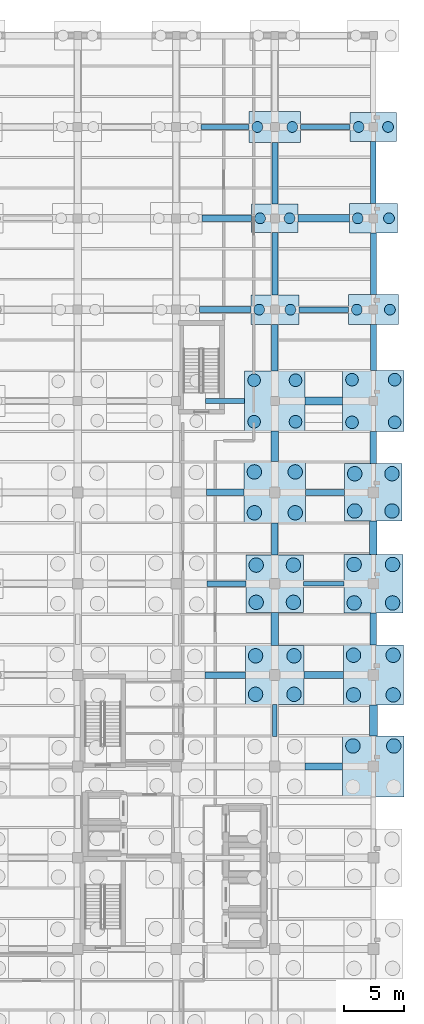
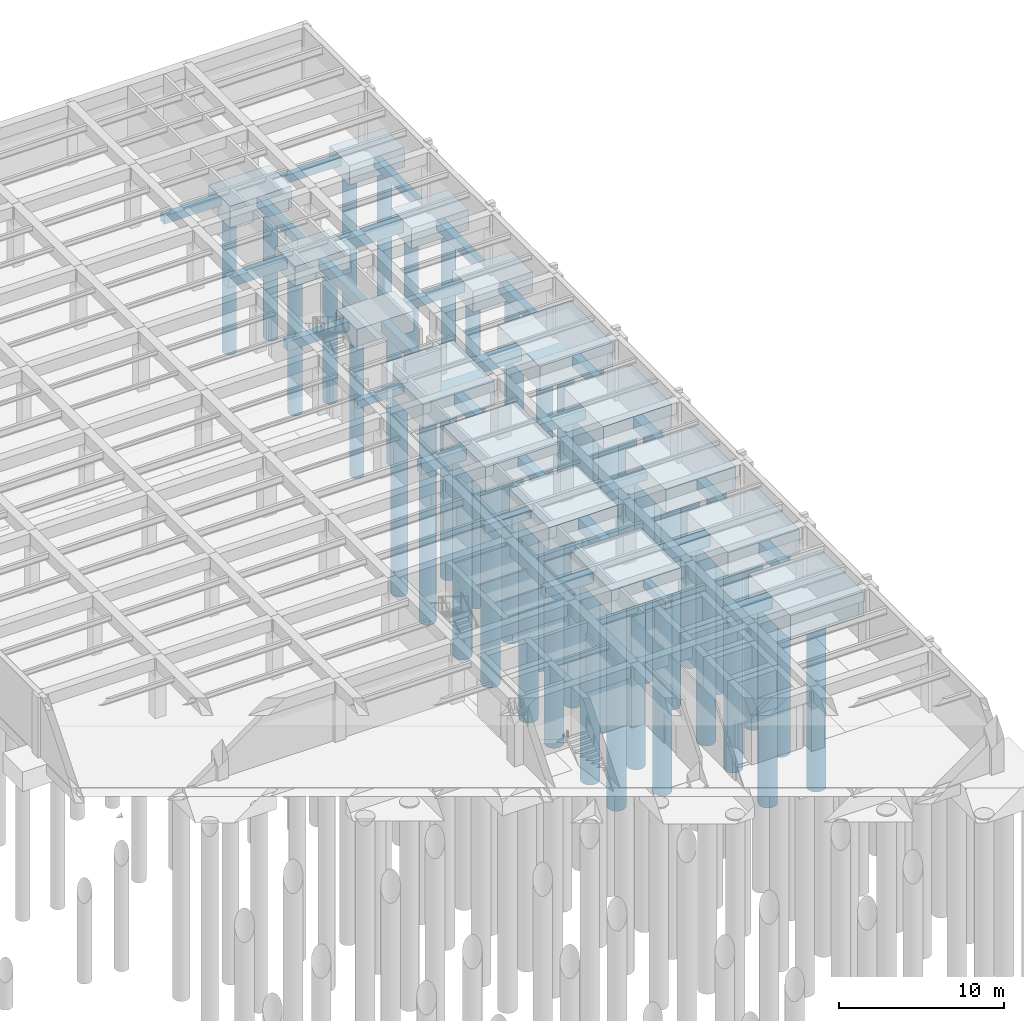
# One storey, part 7 of 29: 46 piles, 44 footings.
"""IFC4 building model written with IfcOpenShell, lengths in metres."""

from ifc_helpers import new_model, si_unit, direction, frame, origin, origin_2d, place, context, subcontext, project, spatial, rectangle, circle, extrude, material, material_profile, profile_set, type_object, element, save


model = new_model("IFC4")

# Units and contexts
model_context = context("Model", 3, precision=1e-05, world=origin(), true_north=direction((0.0, 1.0)))
body_context = subcontext(model_context, "Body", "Model", "MODEL_VIEW")
ifc_project = project(units=[si_unit("LENGTHUNIT", "METRE"), si_unit("AREAUNIT", "SQUARE_METRE"), si_unit("VOLUMEUNIT", "CUBIC_METRE"), si_unit("PLANEANGLEUNIT", "RADIAN"), si_unit("MASSUNIT", "GRAM", prefix="KILO")], contexts=[model_context])

# Site, building, storey
site_placement = place(None, origin())
site = spatial("IfcSite", under=ifc_project, at=site_placement, CompositionType="ELEMENT")
building_placement = place(site_placement, origin())
building = spatial("IfcBuilding", under=site, at=building_placement, Name="Qandaris Square Conservatory and Botanical Centre", CompositionType="ELEMENT")
storey_placement = place(building_placement, frame((0.0, 0.0, -4.800048828125)))
storey = spatial("IfcBuildingStorey", under=building, at=storey_placement, Name="B1", CompositionType="ELEMENT", Elevation=-4.800048828125)

# Piles
ifc_material_1 = material(Name="Concrete C50/60", Category="concrete")
ifc_material_profile_1 = material_profile(ifc_material_1, circle(Radius=0.52490234375, at=origin_2d()), Name="PILE D1050")
ifc_profile_set_1 = profile_set([ifc_material_profile_1], Name="Concrete C50/60")
pile_type_1 = type_object("IfcPileType", Name="Bored Pile D1050", PredefinedType="BORED", material=ifc_profile_set_1)
for number, where, z_axis, x_axis, name in (
    (1, (153.875, 68.074951171875, -1.64990234375), (0.0, 0.0, -1.0), (1.0, 0.0, 0.0), "Bored Pile J19-1"),
    (2, (157.324951171875, 68.074951171875, -1.64990234375), (0.0, 0.0, -1.0), (1.0, 0.0, 0.0), "Bored Pile J19-2"),
    (3, (153.875, 71.52490234375, -1.64990234375), (0.0, 0.0, -1.0), (1.0, 0.0, 0.0), "Bored Pile J19-3"),
    (4, (157.324951171875, 71.52490234375, -1.64990234375), (0.0, 0.0, -1.0), (1.0, 0.0, 0.0), "Bored Pile J19-4"),
):
    element("IfcPile", number, at=place(storey_placement, frame(where, z_axis=z_axis, x_axis=x_axis)), inside=storey, type_object=pile_type_1, Name=name, PredefinedType="BORED", context=body_context, shape_type="SweptSolid", body=[
        extrude(circle(Radius=0.52490234375, at=origin_2d()), origin(), (0.0, 0.0, 1.0), 15.050048828125),
    ])
for number, where, z_axis, x_axis, name in (
    (5, (162.02490234375, 68.02490234375, -1.699951171875), (0.0, 0.0, -1.0), (1.0, 0.0, 0.0), "Bored Pile J20-1"),
    (6, (165.574951171875, 68.02490234375, -1.699951171875), (0.0, 0.0, -1.0), (1.0, 0.0, 0.0), "Bored Pile J20-2"),
    (7, (162.02490234375, 71.574951171875, -1.699951171875), (0.0, 0.0, -1.0), (1.0, 0.0, 0.0), "Bored Pile J20-3"),
    (8, (165.574951171875, 71.574951171875, -1.699951171875), (0.0, 0.0, -1.0), (1.0, 0.0, 0.0), "Bored Pile J20-4"),
):
    element("IfcPile", number, at=place(storey_placement, frame(where, z_axis=z_axis, x_axis=x_axis)), inside=storey, type_object=pile_type_1, Name=name, PredefinedType="BORED", context=body_context, shape_type="SweptSolid", body=[
        extrude(circle(Radius=0.52490234375, at=origin_2d()), origin(), (0.0, 0.0, 1.0), 15.0),
    ])
ifc_material_profile_2 = material_profile(ifc_material_1, circle(Radius=0.60009765625, at=origin_2d()), Name="PILE D1200")
ifc_profile_set_2 = profile_set([ifc_material_profile_2], Name="Concrete C50/60")
pile_type_2 = type_object("IfcPileType", Name="Bored Pile D1200", PredefinedType="BORED", material=ifc_profile_set_2)
for number, where, z_axis, x_axis, name in (
    (9, (154.0, 45.39990234375, -1.599853515625), (0.0, 0.0, -1.0), (1.0, 0.0, 0.0), "Bored Pile F19-1"),
    (10, (157.199951171875, 45.39990234375, -1.599853515625), (0.0, 0.0, -1.0), (1.0, 0.0, 0.0), "Bored Pile F19-2"),
    (11, (154.0, 48.60009765625, -1.599853515625), (0.0, 0.0, -1.0), (1.0, 0.0, 0.0), "Bored Pile F19-3"),
    (12, (157.199951171875, 48.60009765625, -1.599853515625), (0.0, 0.0, -1.0), (1.0, 0.0, 0.0), "Bored Pile F19-4"),
):
    element("IfcPile", number, at=place(storey_placement, frame(where, z_axis=z_axis, x_axis=x_axis)), inside=storey, type_object=pile_type_2, Name=name, PredefinedType="BORED", context=body_context, shape_type="SweptSolid", body=[
        extrude(circle(Radius=0.60009765625, at=origin_2d()), origin(), (0.0, 0.0, 1.0), 15.10009765625),
    ])
for number, where, z_axis, x_axis, name in (
    (13, (154.050048828125, 53.050048828125, -1.550048828125), (0.0, 0.0, -1.0), (1.0, 0.0, 0.0), "Bored Pile G19-1"),
    (14, (157.14990234375, 53.050048828125, -1.550048828125), (0.0, 0.0, -1.0), (1.0, 0.0, 0.0), "Bored Pile G19-2"),
    (15, (154.050048828125, 56.14990234375, -1.550048828125), (0.0, 0.0, -1.0), (1.0, 0.0, 0.0), "Bored Pile G19-3"),
    (16, (157.14990234375, 56.14990234375, -1.550048828125), (0.0, 0.0, -1.0), (1.0, 0.0, 0.0), "Bored Pile G19-4"),
):
    element("IfcPile", number, at=place(storey_placement, frame(where, z_axis=z_axis, x_axis=x_axis)), inside=storey, type_object=pile_type_2, Name=name, PredefinedType="BORED", context=body_context, shape_type="SweptSolid", body=[
        extrude(circle(Radius=0.60009765625, at=origin_2d()), origin(), (0.0, 0.0, 1.0), 15.14990234375),
    ])
for number, where, z_axis, x_axis, name in (
    (17, (153.89990234375, 60.5, -1.699951171875), (0.0, 0.0, -1.0), (1.0, 0.0, 0.0), "Bored Pile H19-1"),
    (18, (157.300048828125, 60.5, -1.699951171875), (0.0, 0.0, -1.0), (1.0, 0.0, 0.0), "Bored Pile H19-2"),
    (19, (153.89990234375, 63.89990234375, -1.699951171875), (0.0, 0.0, -1.0), (1.0, 0.0, 0.0), "Bored Pile H19-3"),
    (20, (157.300048828125, 63.89990234375, -1.699951171875), (0.0, 0.0, -1.0), (1.0, 0.0, 0.0), "Bored Pile H19-4"),
    (21, (162.10009765625, 41.10009765625, -1.699951171875), (0.0, 0.0, -1.0), (1.0, 0.0, 0.0), "Bored Pile E20-3"),
    (22, (165.5, 41.10009765625, -1.699951171875), (0.0, 0.0, -1.0), (1.0, 0.0, 0.0), "Bored Pile E20-4"),
):
    element("IfcPile", number, at=place(storey_placement, frame(where, z_axis=z_axis, x_axis=x_axis)), inside=storey, type_object=pile_type_2, Name=name, PredefinedType="BORED", context=body_context, shape_type="SweptSolid", body=[
        extrude(circle(Radius=0.60009765625, at=origin_2d()), origin(), (0.0, 0.0, 1.0), 15.0),
    ])
for number, where, z_axis, x_axis, name in (
    (23, (162.14990234375, 45.35009765625, -1.64990234375), (0.0, 0.0, -1.0), (1.0, 0.0, 0.0), "Bored Pile F20-1"),
    (24, (165.449951171875, 45.35009765625, -1.64990234375), (0.0, 0.0, -1.0), (1.0, 0.0, 0.0), "Bored Pile F20-2"),
    (25, (162.14990234375, 48.64990234375, -1.64990234375), (0.0, 0.0, -1.0), (1.0, 0.0, 0.0), "Bored Pile F20-3"),
    (26, (165.449951171875, 48.64990234375, -1.64990234375), (0.0, 0.0, -1.0), (1.0, 0.0, 0.0), "Bored Pile F20-4"),
):
    element("IfcPile", number, at=place(storey_placement, frame(where, z_axis=z_axis, x_axis=x_axis)), inside=storey, type_object=pile_type_2, Name=name, PredefinedType="BORED", context=body_context, shape_type="SweptSolid", body=[
        extrude(circle(Radius=0.60009765625, at=origin_2d()), origin(), (0.0, 0.0, 1.0), 15.050048828125),
    ])
for number, where, z_axis, x_axis, name in (
    (27, (162.199951171875, 53.0, -1.599853515625), (0.0, 0.0, -1.0), (1.0, 0.0, 0.0), "Bored Pile G20-1"),
    (28, (165.39990234375, 53.0, -1.599853515625), (0.0, 0.0, -1.0), (1.0, 0.0, 0.0), "Bored Pile G20-2"),
    (29, (162.199951171875, 56.199951171875, -1.599853515625), (0.0, 0.0, -1.0), (1.0, 0.0, 0.0), "Bored Pile G20-3"),
    (30, (165.39990234375, 56.199951171875, -1.599853515625), (0.0, 0.0, -1.0), (1.0, 0.0, 0.0), "Bored Pile G20-4"),
):
    element("IfcPile", number, at=place(storey_placement, frame(where, z_axis=z_axis, x_axis=x_axis)), inside=storey, type_object=pile_type_2, Name=name, PredefinedType="BORED", context=body_context, shape_type="SweptSolid", body=[
        extrude(circle(Radius=0.60009765625, at=origin_2d()), origin(), (0.0, 0.0, 1.0), 15.10009765625),
    ])
for number, where, z_axis, x_axis, name in (
    (31, (162.25, 60.64990234375, -1.550048828125), (0.0, 0.0, -1.0), (1.0, 0.0, 0.0), "Bored Pile H20-1"),
    (32, (165.35009765625, 60.64990234375, -1.550048828125), (0.0, 0.0, -1.0), (1.0, 0.0, 0.0), "Bored Pile H20-2"),
    (33, (162.25, 63.75, -1.550048828125), (0.0, 0.0, -1.0), (1.0, 0.0, 0.0), "Bored Pile H20-3"),
    (34, (165.35009765625, 63.75, -1.550048828125), (0.0, 0.0, -1.0), (1.0, 0.0, 0.0), "Bored Pile H20-4"),
):
    element("IfcPile", number, at=place(storey_placement, frame(where, z_axis=z_axis, x_axis=x_axis)), inside=storey, type_object=pile_type_2, Name=name, PredefinedType="BORED", context=body_context, shape_type="SweptSolid", body=[
        extrude(circle(Radius=0.60009765625, at=origin_2d()), origin(), (0.0, 0.0, 1.0), 15.14990234375),
    ])
ifc_material_profile_3 = material_profile(ifc_material_1, circle(Radius=0.449951171875, at=origin_2d()), Name="PILE D900")
ifc_profile_set_3 = profile_set([ifc_material_profile_3], Name="Concrete C50/60")
pile_type_3 = type_object("IfcPileType", Name="Bored Pile D900", PredefinedType="BORED", material=ifc_profile_set_3)
for number, where, z_axis, x_axis, name in (
    (35, (154.300048828125, 77.39990234375, -1.39990234375), (0.0, 0.0, -1.0), (1.0, 0.0, 0.0), "Bored Pile K19-1"),
    (36, (156.89990234375, 77.39990234375, -1.39990234375), (0.0, 0.0, -1.0), (1.0, 0.0, 0.0), "Bored Pile K19-2"),
):
    element("IfcPile", number, at=place(storey_placement, frame(where, z_axis=z_axis, x_axis=x_axis)), inside=storey, type_object=pile_type_3, Name=name, PredefinedType="BORED", context=body_context, shape_type="SweptSolid", body=[
        extrude(circle(Radius=0.449951171875, at=origin_2d()), origin(), (0.0, 0.0, 1.0), 10.300048828125),
    ])
for number, where, z_axis, x_axis, name in (
    (37, (154.375, 85.0, -1.349853515625), (0.0, 0.0, -1.0), (1.0, 0.0, 0.0), "Bored Pile L19-1"),
    (38, (156.824951171875, 85.0, -1.349853515625), (0.0, 0.0, -1.0), (1.0, 0.0, 0.0), "Bored Pile L19-2"),
):
    element("IfcPile", number, at=place(storey_placement, frame(where, z_axis=z_axis, x_axis=x_axis)), inside=storey, type_object=pile_type_3, Name=name, PredefinedType="BORED", context=body_context, shape_type="SweptSolid", body=[
        extrude(circle(Radius=0.449951171875, at=origin_2d()), origin(), (0.0, 0.0, 1.0), 10.35009765625),
    ])
for number, where, z_axis, x_axis, name in (
    (39, (154.14990234375, 92.60009765625, -1.5), (0.0, 0.0, -1.0), (1.0, 0.0, 0.0), "Bored Pile M19-1"),
    (40, (157.050048828125, 92.60009765625, -1.5), (0.0, 0.0, -1.0), (1.0, 0.0, 0.0), "Bored Pile M19-2"),
):
    element("IfcPile", number, at=place(storey_placement, frame(where, z_axis=z_axis, x_axis=x_axis)), inside=storey, type_object=pile_type_3, Name=name, PredefinedType="BORED", context=body_context, shape_type="SweptSolid", body=[
        extrude(circle(Radius=0.449951171875, at=origin_2d()), origin(), (0.0, 0.0, 1.0), 10.199951171875),
    ])
for number, where, z_axis, x_axis, name in (
    (41, (162.425048828125, 77.39990234375, -1.449951171875), (0.0, 0.0, -1.0), (1.0, 0.0, 0.0), "Bored Pile K20-1"),
    (42, (165.175048828125, 77.39990234375, -1.449951171875), (0.0, 0.0, -1.0), (1.0, 0.0, 0.0), "Bored Pile K20-2"),
):
    element("IfcPile", number, at=place(storey_placement, frame(where, z_axis=z_axis, x_axis=x_axis)), inside=storey, type_object=pile_type_3, Name=name, PredefinedType="BORED", context=body_context, shape_type="SweptSolid", body=[
        extrude(circle(Radius=0.449951171875, at=origin_2d()), origin(), (0.0, 0.0, 1.0), 10.25),
    ])
for number, where, z_axis, x_axis, name in (
    (43, (162.5, 85.0, -1.39990234375), (0.0, 0.0, -1.0), (1.0, 0.0, 0.0), "Bored Pile L20-1"),
    (44, (165.10009765625, 85.0, -1.39990234375), (0.0, 0.0, -1.0), (1.0, 0.0, 0.0), "Bored Pile L20-2"),
):
    element("IfcPile", number, at=place(storey_placement, frame(where, z_axis=z_axis, x_axis=x_axis)), inside=storey, type_object=pile_type_3, Name=name, PredefinedType="BORED", context=body_context, shape_type="SweptSolid", body=[
        extrude(circle(Radius=0.449951171875, at=origin_2d()), origin(), (0.0, 0.0, 1.0), 10.300048828125),
    ])
for number, where, z_axis, x_axis, name in (
    (45, (162.574951171875, 92.60009765625, -1.349853515625), (0.0, 0.0, -1.0), (1.0, 0.0, 0.0), "Bored Pile M20-1"),
    (46, (165.02490234375, 92.60009765625, -1.349853515625), (0.0, 0.0, -1.0), (1.0, 0.0, 0.0), "Bored Pile M20-2"),
):
    element("IfcPile", number, at=place(storey_placement, frame(where, z_axis=z_axis, x_axis=x_axis)), inside=storey, type_object=pile_type_3, Name=name, PredefinedType="BORED", context=body_context, shape_type="SweptSolid", body=[
        extrude(circle(Radius=0.449951171875, at=origin_2d()), origin(), (0.0, 0.0, 1.0), 10.35009765625),
    ])

# Footings
ifc_material_2 = material(Name="Concrete C40/50", Category="concrete")
ifc_material_profile_4 = material_profile(ifc_material_2, rectangle(XDim=0.60009765625, YDim=0.85009765625, at=origin_2d()), Name="FB 600x850")
ifc_profile_set_4 = profile_set([ifc_material_profile_4], Name="Concrete C40/50")
footing_type_1 = type_object("IfcFootingType", Name="RC Ground Tie Beam FB-01", PredefinedType="FOOTING_BEAM", material=ifc_profile_set_4)
footing_1_placement = place(storey_placement, frame((158.10009765625, 39.39990234375, -0.425048828125), z_axis=(1.0, 0.0, 0.0), x_axis=(0.0, 1.0, 0.0)))
element("IfcFooting", 47, at=footing_1_placement, inside=storey, type_object=footing_type_1, Name="Ground Tie Beam FB-01-041", PredefinedType="FOOTING_BEAM", context=body_context, shape_type="SweptSolid", body=[
    extrude(rectangle(XDim=0.60009765625, YDim=0.85009765625, at=origin_2d()), origin(), (0.0, 0.0, 1.0), 3.14990234375),
])
footing_2_placement = place(storey_placement, frame((158.050048828125, 47.0, -0.425048828125), z_axis=(1.0, 0.0, 0.0), x_axis=(0.0, 1.0, 0.0)))
element("IfcFooting", 48, at=footing_2_placement, inside=storey, type_object=footing_type_1, Name="Ground Tie Beam FB-01-051", PredefinedType="FOOTING_BEAM", context=body_context, shape_type="SweptSolid", body=[
    extrude(rectangle(XDim=0.60009765625, YDim=0.85009765625, at=origin_2d()), origin(), (0.0, 0.0, 1.0), 3.25),
])
footing_3_placement = place(storey_placement, frame((157.52490234375, 85.0, -0.425048828125), z_axis=(1.0, 0.0, 0.0), x_axis=(0.0, 1.0, 0.0)))
element("IfcFooting", 49, at=footing_3_placement, inside=storey, type_object=footing_type_1, Name="Ground Tie Beam FB-01-081", PredefinedType="FOOTING_BEAM", context=body_context, shape_type="SweptSolid", body=[
    extrude(rectangle(XDim=0.60009765625, YDim=0.85009765625, at=origin_2d()), origin(), (0.0, 0.0, 1.0), 4.275146484375),
])
footing_4_placement = place(storey_placement, frame((155.60009765625, 64.75, -0.425048828125), z_axis=(0.0, 1.0, 0.0), x_axis=(-1.0, 0.0, 0.0)))
element("IfcFooting", 50, at=footing_4_placement, inside=storey, type_object=footing_type_1, Name="Ground Tie Beam FB-01-171", PredefinedType="FOOTING_BEAM", context=body_context, shape_type="SweptSolid", body=[
    extrude(rectangle(XDim=0.60009765625, YDim=0.85009765625, at=origin_2d()), origin(), (0.0, 0.0, 1.0), 2.550048828125),
])
footing_5_placement = place(storey_placement, frame((163.800048828125, 57.050048828125, -0.425048828125), z_axis=(0.0, 1.0, 0.0), x_axis=(-1.0, 0.0, 0.0)))
element("IfcFooting", 51, at=footing_5_placement, inside=storey, type_object=footing_type_1, Name="Ground Tie Beam FB-01-181", PredefinedType="FOOTING_BEAM", context=body_context, shape_type="SweptSolid", body=[
    extrude(rectangle(XDim=0.60009765625, YDim=0.85009765625, at=origin_2d()), origin(), (0.0, 0.0, 1.0), 2.75),
])
ifc_material_profile_5 = material_profile(ifc_material_2, rectangle(XDim=0.550048828125, YDim=0.800048828125, at=origin_2d()), Name="FB 550x800")
ifc_profile_set_5 = profile_set([ifc_material_profile_5], Name="Concrete C40/50")
footing_type_2 = type_object("IfcFootingType", Name="RC Ground Tie Beam FB-02", PredefinedType="FOOTING_BEAM", material=ifc_profile_set_5)
footing_6_placement = place(storey_placement, frame((149.89990234375, 62.199951171875, -0.39990234375), z_axis=(1.0, 0.0, 0.0), x_axis=(0.0, 1.0, 0.0)))
element("IfcFooting", 52, at=footing_6_placement, inside=storey, type_object=footing_type_2, Name="Ground Tie Beam FB-02-062", PredefinedType="FOOTING_BEAM", context=body_context, shape_type="SweptSolid", body=[
    extrude(rectangle(XDim=0.550048828125, YDim=0.800048828125, at=origin_2d()), origin(), (0.0, 0.0, 1.0), 3.150146484375),
])
footing_7_placement = place(storey_placement, frame((155.60009765625, 72.300048828125, -0.39990234375), z_axis=(0.0, 1.0, 0.0), x_axis=(-1.0, 0.0, 0.0)))
element("IfcFooting", 53, at=footing_7_placement, inside=storey, type_object=footing_type_2, Name="Ground Tie Beam FB-02-172", PredefinedType="FOOTING_BEAM", context=body_context, shape_type="SweptSolid", body=[
    extrude(rectangle(XDim=0.550048828125, YDim=0.800048828125, at=origin_2d()), origin(), (0.0, 0.0, 1.0), 3.875),
])
footing_8_placement = place(storey_placement, frame((163.800048828125, 64.60009765625, -0.39990234375), z_axis=(0.0, 1.0, 0.0), x_axis=(-1.0, 0.0, 0.0)))
element("IfcFooting", 54, at=footing_8_placement, inside=storey, type_object=footing_type_2, Name="Ground Tie Beam FB-02-182", PredefinedType="FOOTING_BEAM", context=body_context, shape_type="SweptSolid", body=[
    extrude(rectangle(XDim=0.550048828125, YDim=0.800048828125, at=origin_2d()), origin(), (0.0, 0.0, 1.0), 2.64990234375),
])
ifc_material_profile_6 = material_profile(ifc_material_2, rectangle(XDim=0.5, YDim=0.75, at=origin_2d()), Name="FB 500x750")
ifc_profile_set_6 = profile_set([ifc_material_profile_6], Name="Concrete C40/50")
footing_type_3 = type_object("IfcFootingType", Name="RC Ground Tie Beam FB-03", PredefinedType="FOOTING_BEAM", material=ifc_profile_set_6)
footing_9_placement = place(storey_placement, frame((158.14990234375, 62.199951171875, -0.375), z_axis=(1.0, 0.0, 0.0), x_axis=(0.0, 1.0, 0.0)))
element("IfcFooting", 55, at=footing_9_placement, inside=storey, type_object=footing_type_3, Name="Ground Tie Beam FB-03-063", PredefinedType="FOOTING_BEAM", context=body_context, shape_type="SweptSolid", body=[
    extrude(rectangle(XDim=0.5, YDim=0.75, at=origin_2d()), origin(), (0.0, 0.0, 1.0), 3.25),
])
footing_10_placement = place(storey_placement, frame((155.60009765625, 78.625, -0.375), z_axis=(0.0, 1.0, 0.0), x_axis=(-1.0, 0.0, 0.0)))
element("IfcFooting", 56, at=footing_10_placement, inside=storey, type_object=footing_type_3, Name="Ground Tie Beam FB-03-173", PredefinedType="FOOTING_BEAM", context=body_context, shape_type="SweptSolid", body=[
    extrude(rectangle(XDim=0.5, YDim=0.75, at=origin_2d()), origin(), (0.0, 0.0, 1.0), 5.175048828125),
])
footing_11_placement = place(storey_placement, frame((163.800048828125, 72.35009765625, -0.375), z_axis=(0.0, 1.0, 0.0), x_axis=(-1.0, 0.0, 0.0)))
element("IfcFooting", 57, at=footing_11_placement, inside=storey, type_object=footing_type_3, Name="Ground Tie Beam FB-03-183", PredefinedType="FOOTING_BEAM", context=body_context, shape_type="SweptSolid", body=[
    extrude(rectangle(XDim=0.5, YDim=0.75, at=origin_2d()), origin(), (0.0, 0.0, 1.0), 3.7998046875),
])
ifc_material_profile_7 = material_profile(ifc_material_2, rectangle(XDim=0.5, YDim=0.699951171875, at=origin_2d()), Name="FB 500x700")
ifc_profile_set_7 = profile_set([ifc_material_profile_7], Name="Concrete C40/50")
footing_type_4 = type_object("IfcFootingType", Name="RC Ground Tie Beam FB-04", PredefinedType="FOOTING_BEAM", material=ifc_profile_set_7)
footing_12_placement = place(storey_placement, frame((149.324951171875, 77.39990234375, -0.349853515625), z_axis=(1.0, 0.0, 0.0), x_axis=(0.0, 1.0, 0.0)))
element("IfcFooting", 58, at=footing_12_placement, inside=storey, type_object=footing_type_4, Name="Ground Tie Beam FB-04-074", PredefinedType="FOOTING_BEAM", context=body_context, shape_type="SweptSolid", body=[
    extrude(rectangle(XDim=0.5, YDim=0.699951171875, at=origin_2d()), origin(), (0.0, 0.0, 1.0), 4.275146484375),
])
footing_13_placement = place(storey_placement, frame((155.60009765625, 86.199951171875, -0.349853515625), z_axis=(0.0, 1.0, 0.0), x_axis=(-1.0, 0.0, 0.0)))
element("IfcFooting", 59, at=footing_13_placement, inside=storey, type_object=footing_type_4, Name="Ground Tie Beam FB-04-174", PredefinedType="FOOTING_BEAM", context=body_context, shape_type="SweptSolid", body=[
    extrude(rectangle(XDim=0.5, YDim=0.699951171875, at=origin_2d()), origin(), (0.0, 0.0, 1.0), 5.10009765625),
])
footing_14_placement = place(storey_placement, frame((163.800048828125, 78.64990234375, -0.349853515625), z_axis=(0.0, 1.0, 0.0), x_axis=(-1.0, 0.0, 0.0)))
element("IfcFooting", 60, at=footing_14_placement, inside=storey, type_object=footing_type_4, Name="Ground Tie Beam FB-04-184", PredefinedType="FOOTING_BEAM", context=body_context, shape_type="SweptSolid", body=[
    extrude(rectangle(XDim=0.5, YDim=0.699951171875, at=origin_2d()), origin(), (0.0, 0.0, 1.0), 5.125),
])
ifc_material_profile_8 = material_profile(ifc_material_2, rectangle(XDim=0.449951171875, YDim=0.64990234375, at=origin_2d()), Name="FB 450x650")
ifc_profile_set_8 = profile_set([ifc_material_profile_8], Name="Concrete C40/50")
footing_type_5 = type_object("IfcFootingType", Name="RC Ground Tie Beam FB-05", PredefinedType="FOOTING_BEAM", material=ifc_profile_set_8)
footing_15_placement = place(storey_placement, frame((157.60009765625, 77.39990234375, -0.324951171875), z_axis=(1.0, 0.0, 0.0), x_axis=(0.0, 1.0, 0.0)))
element("IfcFooting", 61, at=footing_15_placement, inside=storey, type_object=footing_type_5, Name="Ground Tie Beam FB-05-075", PredefinedType="FOOTING_BEAM", context=body_context, shape_type="SweptSolid", body=[
    extrude(rectangle(XDim=0.449951171875, YDim=0.64990234375, at=origin_2d()), origin(), (0.0, 0.0, 1.0), 4.125),
])
footing_16_placement = place(storey_placement, frame((163.800048828125, 86.22509765625, -0.324951171875), z_axis=(0.0, 1.0, 0.0), x_axis=(-1.0, 0.0, 0.0)))
element("IfcFooting", 62, at=footing_16_placement, inside=storey, type_object=footing_type_5, Name="Ground Tie Beam FB-05-185", PredefinedType="FOOTING_BEAM", context=body_context, shape_type="SweptSolid", body=[
    extrude(rectangle(XDim=0.449951171875, YDim=0.64990234375, at=origin_2d()), origin(), (0.0, 0.0, 1.0), 5.1748046875),
])
ifc_material_profile_9 = material_profile(ifc_material_2, rectangle(XDim=0.449951171875, YDim=0.60009765625, at=origin_2d()), Name="FB 450x600")
ifc_profile_set_9 = profile_set([ifc_material_profile_9], Name="Concrete C40/50")
footing_type_6 = type_object("IfcFootingType", Name="RC Ground Tie Beam FB-06", PredefinedType="FOOTING_BEAM", material=ifc_profile_set_9)
footing_17_placement = place(storey_placement, frame((149.949951171875, 54.60009765625, -0.300048828125), z_axis=(1.0, 0.0, 0.0), x_axis=(0.0, 1.0, 0.0)))
element("IfcFooting", 63, at=footing_17_placement, inside=storey, type_object=footing_type_6, Name="Ground Tie Beam FB-06-056", PredefinedType="FOOTING_BEAM", context=body_context, shape_type="SweptSolid", body=[
    extrude(rectangle(XDim=0.449951171875, YDim=0.60009765625, at=origin_2d()), origin(), (0.0, 0.0, 1.0), 3.25),
])
footing_18_placement = place(storey_placement, frame((149.47509765625, 92.60009765625, -0.300048828125), z_axis=(1.0, 0.0, 0.0), x_axis=(0.0, 1.0, 0.0)))
element("IfcFooting", 64, at=footing_18_placement, inside=storey, type_object=footing_type_6, Name="Ground Tie Beam FB-06-086", PredefinedType="FOOTING_BEAM", context=body_context, shape_type="SweptSolid", body=[
    extrude(rectangle(XDim=0.449951171875, YDim=0.60009765625, at=origin_2d()), origin(), (0.0, 0.0, 1.0), 3.974853515625),
])
ifc_material_profile_10 = material_profile(ifc_material_2, rectangle(XDim=0.39990234375, YDim=0.60009765625, at=origin_2d()), Name="FB 400x600")
ifc_profile_set_10 = profile_set([ifc_material_profile_10], Name="Concrete C40/50")
footing_type_7 = type_object("IfcFootingType", Name="RC Ground Tie Beam FB-07", PredefinedType="FOOTING_BEAM", material=ifc_profile_set_10)
footing_19_placement = place(storey_placement, frame((158.0, 54.60009765625, -0.300048828125), z_axis=(1.0, 0.0, 0.0), x_axis=(0.0, 1.0, 0.0)))
element("IfcFooting", 65, at=footing_19_placement, inside=storey, type_object=footing_type_7, Name="Ground Tie Beam FB-07-057", PredefinedType="FOOTING_BEAM", context=body_context, shape_type="SweptSolid", body=[
    extrude(rectangle(XDim=0.39990234375, YDim=0.60009765625, at=origin_2d()), origin(), (0.0, 0.0, 1.0), 3.35009765625),
])
footing_20_placement = place(storey_placement, frame((157.75, 92.60009765625, -0.300048828125), z_axis=(1.0, 0.0, 0.0), x_axis=(0.0, 1.0, 0.0)))
element("IfcFooting", 66, at=footing_20_placement, inside=storey, type_object=footing_type_7, Name="Ground Tie Beam FB-07-087", PredefinedType="FOOTING_BEAM", context=body_context, shape_type="SweptSolid", body=[
    extrude(rectangle(XDim=0.39990234375, YDim=0.60009765625, at=origin_2d()), origin(), (0.0, 0.0, 1.0), 4.125),
])
ifc_material_profile_11 = material_profile(ifc_material_2, rectangle(XDim=0.39990234375, YDim=0.550048828125, at=origin_2d()), Name="FB 400x550")
ifc_profile_set_11 = profile_set([ifc_material_profile_11], Name="Concrete C40/50")
footing_type_8 = type_object("IfcFootingType", Name="RC Ground Tie Beam FB-08", PredefinedType="FOOTING_BEAM", material=ifc_profile_set_11)
footing_21_placement = place(storey_placement, frame((149.85009765625, 69.800048828125, -0.27490234375), z_axis=(1.0, 0.0, 0.0), x_axis=(0.0, 1.0, 0.0)))
element("IfcFooting", 67, at=footing_21_placement, inside=storey, type_object=footing_type_8, Name="Ground Tie Beam FB-08-068", PredefinedType="FOOTING_BEAM", context=body_context, shape_type="SweptSolid", body=[
    extrude(rectangle(XDim=0.39990234375, YDim=0.550048828125, at=origin_2d()), origin(), (0.0, 0.0, 1.0), 3.25),
])
footing_22_placement = place(storey_placement, frame((155.60009765625, 41.89990234375, -0.27490234375), z_axis=(0.0, 1.0, 0.0), x_axis=(-1.0, 0.0, 0.0)))
element("IfcFooting", 68, at=footing_22_placement, inside=storey, type_object=footing_type_8, Name="Ground Tie Beam FB-08-168", PredefinedType="FOOTING_BEAM", context=body_context, shape_type="SweptSolid", body=[
    extrude(rectangle(XDim=0.39990234375, YDim=0.550048828125, at=origin_2d()), origin(), (0.0, 0.0, 1.0), 2.650146484375),
])
ifc_material_profile_12 = material_profile(ifc_material_2, rectangle(XDim=0.64990234375, YDim=0.89990234375, at=origin_2d()), Name="FB 650x900")
ifc_profile_set_12 = profile_set([ifc_material_profile_12], Name="Concrete C40/50")
footing_type_9 = type_object("IfcFootingType", Name="RC Ground Tie Beam FB-09", PredefinedType="FOOTING_BEAM", material=ifc_profile_set_12)
footing_23_placement = place(storey_placement, frame((158.10009765625, 69.800048828125, -0.449951171875), z_axis=(1.0, 0.0, 0.0), x_axis=(0.0, 1.0, 0.0)))
element("IfcFooting", 69, at=footing_23_placement, inside=storey, type_object=footing_type_9, Name="Ground Tie Beam FB-09-069", PredefinedType="FOOTING_BEAM", context=body_context, shape_type="SweptSolid", body=[
    extrude(rectangle(XDim=0.64990234375, YDim=0.89990234375, at=origin_2d()), origin(), (0.0, 0.0, 1.0), 3.14990234375),
])
footing_24_placement = place(storey_placement, frame((155.60009765625, 49.449951171875, -0.449951171875), z_axis=(0.0, 1.0, 0.0), x_axis=(-1.0, 0.0, 0.0)))
element("IfcFooting", 70, at=footing_24_placement, inside=storey, type_object=footing_type_9, Name="Ground Tie Beam FB-09-169", PredefinedType="FOOTING_BEAM", context=body_context, shape_type="SweptSolid", body=[
    extrude(rectangle(XDim=0.64990234375, YDim=0.89990234375, at=origin_2d()), origin(), (0.0, 0.0, 1.0), 2.75),
])
footing_25_placement = place(storey_placement, frame((163.800048828125, 41.949951171875, -0.449951171875), z_axis=(0.0, 1.0, 0.0), x_axis=(-1.0, 0.0, 0.0)))
element("IfcFooting", 71, at=footing_25_placement, inside=storey, type_object=footing_type_9, Name="Ground Tie Beam FB-09-179", PredefinedType="FOOTING_BEAM", context=body_context, shape_type="SweptSolid", body=[
    extrude(rectangle(XDim=0.64990234375, YDim=0.89990234375, at=origin_2d()), origin(), (0.0, 0.0, 1.0), 2.550048828125),
])
ifc_material_profile_13 = material_profile(ifc_material_2, rectangle(XDim=0.550048828125, YDim=0.699951171875, at=origin_2d()), Name="FB 550x700")
ifc_profile_set_13 = profile_set([ifc_material_profile_13], Name="Concrete C40/50")
footing_type_10 = type_object("IfcFootingType", Name="RC Ground Tie Beam FB-10", PredefinedType="FOOTING_BEAM", material=ifc_profile_set_13)
footing_26_placement = place(storey_placement, frame((149.800048828125, 47.0, -0.349853515625), z_axis=(1.0, 0.0, 0.0), x_axis=(0.0, 1.0, 0.0)))
element("IfcFooting", 72, at=footing_26_placement, inside=storey, type_object=footing_type_10, Name="Ground Tie Beam FB-10-050", PredefinedType="FOOTING_BEAM", context=body_context, shape_type="SweptSolid", body=[
    extrude(rectangle(XDim=0.550048828125, YDim=0.699951171875, at=origin_2d()), origin(), (0.0, 0.0, 1.0), 3.349853515625),
])
footing_27_placement = place(storey_placement, frame((149.550048828125, 85.0, -0.349853515625), z_axis=(1.0, 0.0, 0.0), x_axis=(0.0, 1.0, 0.0)))
element("IfcFooting", 73, at=footing_27_placement, inside=storey, type_object=footing_type_10, Name="Ground Tie Beam FB-10-080", PredefinedType="FOOTING_BEAM", context=body_context, shape_type="SweptSolid", body=[
    extrude(rectangle(XDim=0.550048828125, YDim=0.699951171875, at=origin_2d()), origin(), (0.0, 0.0, 1.0), 4.125),
])
for number, where, z_axis, x_axis, name in (
    (74, (155.60009765625, 57.0, -0.349853515625), (0.0, 1.0, 0.0), (-1.0, 0.0, 0.0), "Ground Tie Beam FB-10-170"),
    (75, (163.800048828125, 49.5, -0.349853515625), (0.0, 1.0, 0.0), (-1.0, 0.0, 0.0), "Ground Tie Beam FB-10-180"),
):
    element("IfcFooting", number, at=place(storey_placement, frame(where, z_axis=z_axis, x_axis=x_axis)), inside=storey, type_object=footing_type_10, Name=name, PredefinedType="FOOTING_BEAM", context=body_context, shape_type="SweptSolid", body=[
        extrude(rectangle(XDim=0.550048828125, YDim=0.699951171875, at=origin_2d()), origin(), (0.0, 0.0, 1.0), 2.64990234375),
    ])
footing_type_11 = type_object("IfcFootingType", Name="RC Pile Cap PC-01", PredefinedType="PILE_CAP", material=ifc_material_2)
for number, where, z_axis, x_axis, name in (
    (76, (155.60009765625, 62.199951171875, -1.7998046875), (0.0, 0.0, 1.0), (1.0, 0.0, 0.0), "Pile Cap PC-01 at H19"),
    (77, (163.800048828125, 39.39990234375, -1.7998046875), (0.0, 0.0, 1.0), (1.0, 0.0, 0.0), "Pile Cap PC-01 at E20"),
    (78, (163.800048828125, 69.800048828125, -1.7998046875), (0.0, 0.0, 1.0), (1.0, 0.0, 0.0), "Pile Cap PC-01 at J20"),
):
    element("IfcFooting", number, at=place(storey_placement, frame(where, z_axis=z_axis, x_axis=x_axis)), inside=storey, type_object=footing_type_11, Name=name, PredefinedType="PILE_CAP", context=body_context, shape_type="SweptSolid", body=[
        extrude(rectangle(XDim=5.10009765625, YDim=5.10009765625, at=origin_2d()), origin(), (0.0, 0.0, 1.0), 1.800048828125),
    ])
footing_type_12 = type_object("IfcFootingType", Name="RC Pile Cap PC-02", PredefinedType="PILE_CAP", material=ifc_material_2)
for number, where, z_axis, x_axis, name in (
    (79, (155.60009765625, 69.800048828125, -1.75), (0.0, 0.0, 1.0), (1.0, 0.0, 0.0), "Pile Cap PC-02 at J19"),
    (80, (163.800048828125, 47.0, -1.75), (0.0, 0.0, 1.0), (1.0, 0.0, 0.0), "Pile Cap PC-02 at F20"),
):
    element("IfcFooting", number, at=place(storey_placement, frame(where, z_axis=z_axis, x_axis=x_axis)), inside=storey, type_object=footing_type_12, Name=name, PredefinedType="PILE_CAP", context=body_context, shape_type="SweptSolid", body=[
        extrude(rectangle(XDim=5.0, YDim=5.0, at=origin_2d()), origin(), (0.0, 0.0, 1.0), 1.75),
    ])
footing_type_13 = type_object("IfcFootingType", Name="RC Pile Cap PC-03", PredefinedType="PILE_CAP", material=ifc_material_2)
for number, where, z_axis, x_axis, name in (
    (81, (155.60009765625, 47.0, -1.69970703125), (0.0, 0.0, 1.0), (1.0, 0.0, 0.0), "Pile Cap PC-03 at F19"),
    (82, (163.800048828125, 54.60009765625, -1.69970703125), (0.0, 0.0, 1.0), (1.0, 0.0, 0.0), "Pile Cap PC-03 at G20"),
):
    element("IfcFooting", number, at=place(storey_placement, frame(where, z_axis=z_axis, x_axis=x_axis)), inside=storey, type_object=footing_type_13, Name=name, PredefinedType="PILE_CAP", context=body_context, shape_type="SweptSolid", body=[
        extrude(rectangle(XDim=4.89990234375, YDim=4.89990234375, at=origin_2d()), origin(), (0.0, 0.0, 1.0), 1.699951171875),
    ])
footing_type_14 = type_object("IfcFootingType", Name="RC Pile Cap PC-04", PredefinedType="PILE_CAP", material=ifc_material_2)
for number, where, z_axis, x_axis, name in (
    (83, (155.60009765625, 54.60009765625, -1.64990234375), (0.0, 0.0, 1.0), (1.0, 0.0, 0.0), "Pile Cap PC-04 at G19"),
    (84, (163.800048828125, 62.199951171875, -1.64990234375), (0.0, 0.0, 1.0), (1.0, 0.0, 0.0), "Pile Cap PC-04 at H20"),
):
    element("IfcFooting", number, at=place(storey_placement, frame(where, z_axis=z_axis, x_axis=x_axis)), inside=storey, type_object=footing_type_14, Name=name, PredefinedType="PILE_CAP", context=body_context, shape_type="SweptSolid", body=[
        extrude(rectangle(XDim=4.800048828125, YDim=4.800048828125, at=origin_2d()), origin(), (0.0, 0.0, 1.0), 1.64990234375),
    ])
footing_type_15 = type_object("IfcFootingType", Name="RC Pile Cap PC-05", PredefinedType="PILE_CAP", material=ifc_material_2)
footing_28_placement = place(storey_placement, frame((155.60009765625, 92.60009765625, -1.60009765625), z_axis=(0.0, 0.0, 1.0), x_axis=(1.0, 0.0, 0.0)))
element("IfcFooting", 85, at=footing_28_placement, inside=storey, type_object=footing_type_15, Name="Pile Cap PC-05 at M19", PredefinedType="PILE_CAP", context=body_context, shape_type="SweptSolid", body=[
    extrude(rectangle(XDim=4.300048828125, YDim=2.60009765625, at=origin_2d()), origin(), (0.0, 0.0, 1.0), 1.60009765625),
])
footing_type_16 = type_object("IfcFootingType", Name="RC Pile Cap PC-06", PredefinedType="PILE_CAP", material=ifc_material_2)
footing_29_placement = place(storey_placement, frame((163.800048828125, 77.39990234375, -1.5498046875), z_axis=(0.0, 0.0, 1.0), x_axis=(1.0, 0.0, 0.0)))
element("IfcFooting", 86, at=footing_29_placement, inside=storey, type_object=footing_type_16, Name="Pile Cap PC-06 at K20", PredefinedType="PILE_CAP", context=body_context, shape_type="SweptSolid", body=[
    extrude(rectangle(XDim=4.14990234375, YDim=2.5, at=origin_2d()), origin(), (0.0, 0.0, 1.0), 1.550048828125),
])
footing_type_17 = type_object("IfcFootingType", Name="RC Pile Cap PC-07", PredefinedType="PILE_CAP", material=ifc_material_2)
for number, where, z_axis, x_axis, name in (
    (87, (155.60009765625, 77.39990234375, -1.5), (0.0, 0.0, 1.0), (1.0, 0.0, 0.0), "Pile Cap PC-07 at K19"),
    (88, (163.800048828125, 85.0, -1.5), (0.0, 0.0, 1.0), (1.0, 0.0, 0.0), "Pile Cap PC-07 at L20"),
):
    element("IfcFooting", number, at=place(storey_placement, frame(where, z_axis=z_axis, x_axis=x_axis)), inside=storey, type_object=footing_type_17, Name=name, PredefinedType="PILE_CAP", context=body_context, shape_type="SweptSolid", body=[
        extrude(rectangle(XDim=4.0, YDim=2.449951171875, at=origin_2d()), origin(), (0.0, 0.0, 1.0), 1.5),
    ])
footing_type_18 = type_object("IfcFootingType", Name="RC Pile Cap PC-08", PredefinedType="PILE_CAP", material=ifc_material_2)
for number, where, z_axis, x_axis, name in (
    (89, (155.60009765625, 85.0, -1.44970703125), (0.0, 0.0, 1.0), (1.0, 0.0, 0.0), "Pile Cap PC-08 at L19"),
    (90, (163.800048828125, 92.60009765625, -1.44970703125), (0.0, 0.0, 1.0), (1.0, 0.0, 0.0), "Pile Cap PC-08 at M20"),
):
    element("IfcFooting", number, at=place(storey_placement, frame(where, z_axis=z_axis, x_axis=x_axis)), inside=storey, type_object=footing_type_18, Name=name, PredefinedType="PILE_CAP", context=body_context, shape_type="SweptSolid", body=[
        extrude(rectangle(XDim=3.85009765625, YDim=2.39990234375, at=origin_2d()), origin(), (0.0, 0.0, 1.0), 1.449951171875),
    ])

save(model, "model.ifc")
